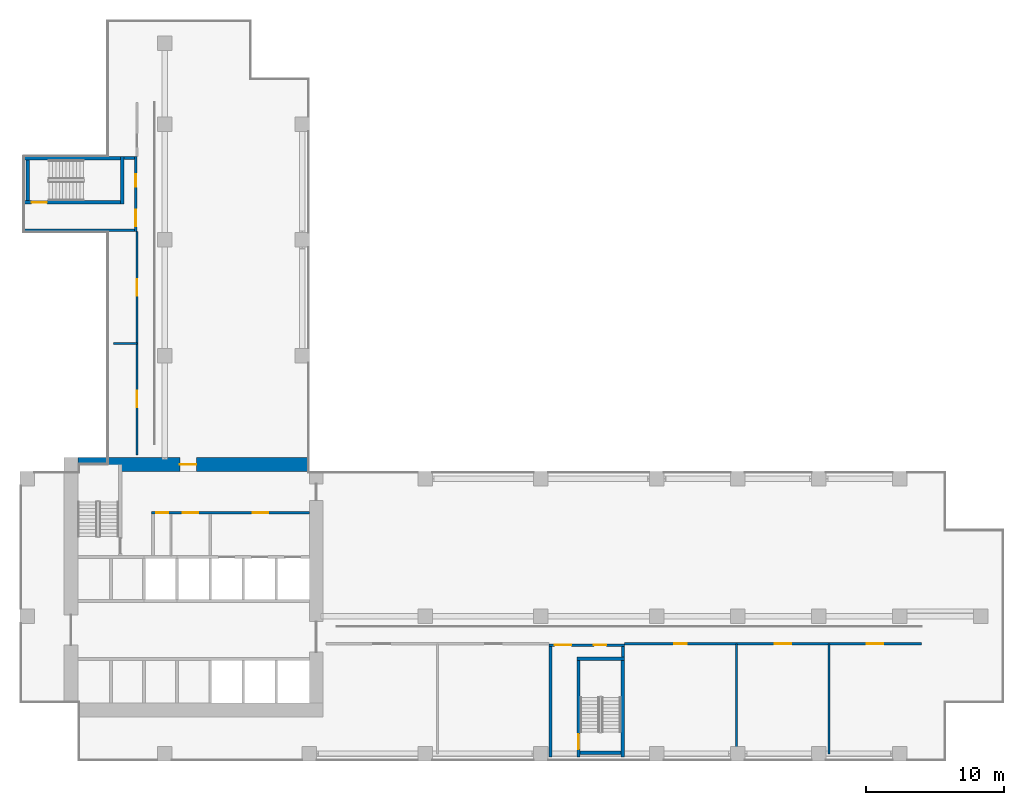
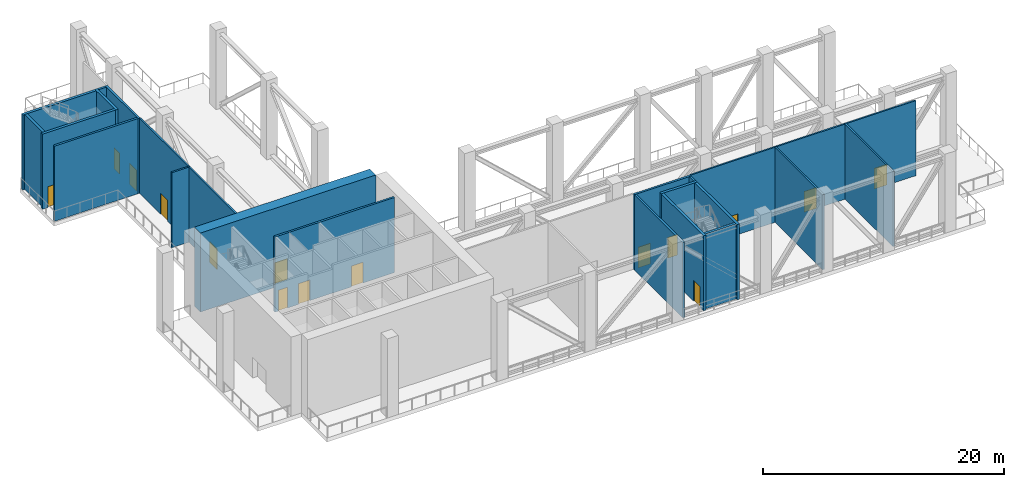
# One storey, part 3 of 10: 21 walls, 15 doors, 15 openings.
"""IFC4 building model written with IfcOpenShell, lengths in metres."""

from ifc_helpers import new_model, si_unit, direction, frame, frame_2d, origin, place, context, subcontext, project, spatial, rectangle, extrude, source, transform, mapped, material, layer, layer_set, type_object, element, fill, save


model = new_model("IFC4")

# Units and contexts
model_context = context("Model", 3, precision=1e-05, world=origin(), true_north=direction((0.0, 1.0)))
body_context = subcontext(model_context, "Body", "Model", "MODEL_VIEW")
ifc_project = project(units=[si_unit("LENGTHUNIT", "METRE"), si_unit("AREAUNIT", "SQUARE_METRE"), si_unit("VOLUMEUNIT", "CUBIC_METRE"), si_unit("PLANEANGLEUNIT", "RADIAN"), si_unit("MASSUNIT", "GRAM", prefix="KILO")], contexts=[model_context])

# Site, building, storey
site_placement = place(None, origin())
site = spatial("IfcSite", under=ifc_project, at=site_placement, CompositionType="ELEMENT")
building_placement = place(site_placement, origin())
building = spatial("IfcBuilding", under=site, at=building_placement, Name="Aurelian Terraces", CompositionType="ELEMENT")
storey_placement = place(building_placement, frame((0.0, 0.0, 162.3)))
storey = spatial("IfcBuildingStorey", under=building, at=storey_placement, Name="L36", CompositionType="ELEMENT", Elevation=162.3)

# Wall, openings, doors
ifc_material_1 = material(Name="Gypsum board on steel studs", Category="steel")
ifc_layer_1 = layer(ifc_material_1, 0.2)
ifc_layer_set_1 = layer_set([ifc_layer_1], Name="Core partition 200")
wall_type_1 = type_object("IfcWallType", Name="Core partition 200", PredefinedType="PARTITIONING", material=ifc_layer_set_1)
wall_1_placement = place(storey_placement, frame((9.55, 18.0, 0.0), z_axis=(0.0, 0.0, 1.0), x_axis=(1.0, 0.0, 0.0)))
wall_1 = element("IfcWall", 1, at=wall_1_placement, inside=storey, type_object=wall_type_1, Name="L36 core wall CP-NORTH", PredefinedType="PARTITIONING", context=body_context, shape_type="SweptSolid", body=[
    extrude(rectangle(XDim=11.45, YDim=0.2, at=frame_2d((5.725, 0.0))), origin(), (0.0, 0.0, 1.0), 7.6),
])
shared_shape_1 = source(origin(), body_context, "Body", "SweptSolid", [
    extrude(rectangle(XDim=0.9, YDim=2.1, at=frame_2d((0.45, 1.05))), frame((0.0, 0.11, 0.0), z_axis=(0.0, -1.0, 0.0), x_axis=(1.0, 0.0, 0.0)), (0.0, 0.0, 1.0), 0.22),
])
opening_1_placement = place(wall_1_placement, frame((0.325, 0.0, 0.0)))
opening_1 = element("IfcOpeningElement", 2, at=opening_1_placement, cuts=wall_1, Name="Opening 63904", PredefinedType="OPENING", context=body_context, shape_type="MappedRepresentation", body=[
    mapped(shared_shape_1, transform((0.0, 0.0, 0.0), scale=1.0)),
])
shared_shape_2 = source(origin(), body_context, "Body", "SweptSolid", [
    extrude(rectangle(XDim=1.1, YDim=2.1, at=frame_2d((0.55, 1.05))), frame((0.0, 0.11, 0.0), z_axis=(0.0, -1.0, 0.0), x_axis=(1.0, 0.0, 0.0)), (0.0, 0.0, 1.0), 0.22),
])
opening_2_placement = place(wall_1_placement, frame((2.275, 0.0, 0.0)))
opening_2 = element("IfcOpeningElement", 3, at=opening_2_placement, cuts=wall_1, Name="Opening 63905", PredefinedType="OPENING", context=body_context, shape_type="MappedRepresentation", body=[
    mapped(shared_shape_2, transform((0.0, 0.0, 0.0), scale=1.0)),
])
opening_3_placement = place(wall_1_placement, frame((7.35, 0.0, 0.0)))
opening_3 = element("IfcOpeningElement", 4, at=opening_3_placement, cuts=wall_1, Name="Opening 63906", PredefinedType="OPENING", context=body_context, shape_type="MappedRepresentation", body=[
    mapped(shared_shape_2, transform((0.0, 0.0, 0.0), scale=1.0)),
])
ifc_material_2 = material(Name="Steel door leaf", Category="steel")
door_type_1 = type_object("IfcDoorType", Name="Core riser door 900x2100 right", OperationType="SINGLE_SWING_RIGHT", PredefinedType="DOOR", material=ifc_material_2)
shared_shape_3 = source(origin(), body_context, "Body", "SweptSolid", [
    extrude(rectangle(XDim=0.9, YDim=2.1, at=frame_2d((0.45, 1.05))), frame((0.0, 0.025, 0.0), z_axis=(0.0, -1.0, 0.0), x_axis=(1.0, 0.0, 0.0)), (0.0, 0.0, 1.0), 0.05),
])
door_1_placement = place(opening_1_placement, origin())
door_1 = element("IfcDoor", 5, at=door_1_placement, inside=storey, type_object=door_type_1, Name="Room door 63904", OperationType="SINGLE_SWING_RIGHT", OverallHeight=2.1, OverallWidth=0.9, PredefinedType="DOOR", context=body_context, shape_type="MappedRepresentation", body=[
    mapped(shared_shape_3, transform((0.0, 0.0, 0.0), scale=1.0)),
])
fill(opening_1, door_1)
door_type_2 = type_object("IfcDoorType", Name="Core service door 1100x2100", OperationType="SINGLE_SWING_LEFT", PredefinedType="DOOR", material=ifc_material_2)
shared_shape_4 = source(origin(), body_context, "Body", "SweptSolid", [
    extrude(rectangle(XDim=1.1, YDim=2.1, at=frame_2d((0.55, 1.05))), frame((0.0, 0.025, 0.0), z_axis=(0.0, -1.0, 0.0), x_axis=(1.0, 0.0, 0.0)), (0.0, 0.0, 1.0), 0.05),
])
door_2_placement = place(opening_2_placement, origin())
door_2 = element("IfcDoor", 6, at=door_2_placement, inside=storey, type_object=door_type_2, Name="Room door 63905", OperationType="SINGLE_SWING_LEFT", OverallHeight=2.1, OverallWidth=1.1, PredefinedType="DOOR", context=body_context, shape_type="MappedRepresentation", body=[
    mapped(shared_shape_4, transform((0.0, 0.0, 0.0), scale=1.0)),
])
fill(opening_2, door_2)
door_type_3 = type_object("IfcDoorType", Name="Core fire door 1100x2100 right", OperationType="SINGLE_SWING_RIGHT", PredefinedType="DOOR", material=ifc_material_2)
door_3_placement = place(opening_3_placement, origin())
door_3 = element("IfcDoor", 7, at=door_3_placement, inside=storey, type_object=door_type_3, Name="Ff lobby door 63906", OperationType="SINGLE_SWING_RIGHT", OverallHeight=2.1, OverallWidth=1.1, PredefinedType="DOOR", context=body_context, shape_type="MappedRepresentation", body=[
    mapped(shared_shape_4, transform((0.0, 0.0, 0.0), scale=1.0)),
])
fill(opening_3, door_3)

# Wall
wall_2_placement = place(storey_placement, frame((38.5, 0.3, 0.0), z_axis=(0.0, 0.0, 1.0), x_axis=(0.0, 1.0, 0.0)))
element("IfcWall", 8, at=wall_2_placement, inside=storey, type_object=wall_type_1, Name="L36 core wall ST-S2-VW", PredefinedType="PARTITIONING", context=body_context, shape_type="SweptSolid", body=[
    extrude(rectangle(XDim=8.0, YDim=0.2, at=frame_2d((4.0, 0.0))), origin(), (0.0, 0.0, 1.0), 7.6),
])

# Wall, openings, doors
wall_3_placement = place(storey_placement, frame((38.4, 8.4, 0.0), z_axis=(0.0, 0.0, 1.0), x_axis=(1.0, 0.0, 0.0)))
wall_3 = element("IfcWall", 9, at=wall_3_placement, inside=storey, type_object=wall_type_1, Name="L36 core wall ST-S2-BN", PredefinedType="PARTITIONING", context=body_context, shape_type="SweptSolid", body=[
    extrude(rectangle(XDim=5.45, YDim=0.2, at=frame_2d((2.725, 0.0))), origin(), (0.0, 0.0, 1.0), 7.6),
])
shared_shape_5 = source(origin(), body_context, "Body", "SweptSolid", [
    extrude(rectangle(XDim=1.2, YDim=2.1, at=frame_2d((0.6, 1.05))), frame((0.0, 0.11, 0.0), z_axis=(0.0, -1.0, 0.0), x_axis=(1.0, 0.0, 0.0)), (0.0, 0.0, 1.0), 0.22),
])
opening_4_placement = place(wall_3_placement, frame((0.4, 0.0, 0.0)))
opening_4 = element("IfcOpeningElement", 10, at=opening_4_placement, cuts=wall_3, Name="Opening 63908", PredefinedType="OPENING", context=body_context, shape_type="MappedRepresentation", body=[
    mapped(shared_shape_5, transform((0.0, 0.0, 0.0), scale=1.0)),
])
opening_5_placement = place(wall_3_placement, frame((3.25, 0.0, 0.0)))
opening_5 = element("IfcOpeningElement", 11, at=opening_5_placement, cuts=wall_3, Name="Opening 63909", PredefinedType="OPENING", context=body_context, shape_type="MappedRepresentation", body=[
    mapped(shared_shape_1, transform((0.0, 0.0, 0.0), scale=1.0)),
])
door_type_4 = type_object("IfcDoorType", Name="Core riser door 900x2100", OperationType="SINGLE_SWING_LEFT", PredefinedType="DOOR", material=ifc_material_2)
door_4_placement = place(opening_5_placement, origin())
door_4 = element("IfcDoor", 12, at=door_4_placement, inside=storey, type_object=door_type_4, Name="Riser door 63909", OperationType="SINGLE_SWING_LEFT", OverallHeight=2.1, OverallWidth=0.9, PredefinedType="DOOR", context=body_context, shape_type="MappedRepresentation", body=[
    mapped(shared_shape_3, transform((0.0, 0.0, 0.0), scale=1.0)),
])
fill(opening_5, door_4)
door_type_5 = type_object("IfcDoorType", Name="Core fire door 1200x2100 right", OperationType="SINGLE_SWING_RIGHT", PredefinedType="DOOR", material=ifc_material_2)
shared_shape_6 = source(origin(), body_context, "Body", "SweptSolid", [
    extrude(rectangle(XDim=1.2, YDim=2.1, at=frame_2d((0.6, 1.05))), frame((0.0, 0.025, 0.0), z_axis=(0.0, -1.0, 0.0), x_axis=(1.0, 0.0, 0.0)), (0.0, 0.0, 1.0), 0.05),
])
door_5_placement = place(opening_4_placement, origin())
door_5 = element("IfcDoor", 13, at=door_5_placement, inside=storey, type_object=door_type_5, Name="Vestibule door 63908", OperationType="SINGLE_SWING_RIGHT", OverallHeight=2.1, OverallWidth=1.2, PredefinedType="DOOR", context=body_context, shape_type="MappedRepresentation", body=[
    mapped(shared_shape_6, transform((0.0, 0.0, 0.0), scale=1.0)),
])
fill(opening_4, door_5)

# Wall
wall_4_placement = place(storey_placement, frame((43.75, 7.55, 0.0), z_axis=(0.0, 0.0, 1.0), x_axis=(0.0, 1.0, 0.0)))
element("IfcWall", 14, at=wall_4_placement, inside=storey, type_object=wall_type_1, Name="L36 core wall ST-S2-RE", PredefinedType="PARTITIONING", context=body_context, shape_type="SweptSolid", body=[
    extrude(rectangle(XDim=0.75, YDim=0.2, at=frame_2d((0.375, 0.0))), origin(), (0.0, 0.0, 1.0), 7.6),
])

# Wall, openings, doors
ifc_layer_2 = layer(ifc_material_1, 0.15)
ifc_layer_set_2 = layer_set([ifc_layer_2], Name="Special partition 150")
wall_type_2 = type_object("IfcWallType", Name="Special partition 150", PredefinedType="PARTITIONING", material=ifc_layer_set_2)
wall_5_placement = place(storey_placement, frame((43.85, 8.5, 0.0), z_axis=(0.0, 0.0, 1.0), x_axis=(1.0, 0.0, 0.0)))
wall_5 = element("IfcWall", 15, at=wall_5_placement, inside=storey, type_object=wall_type_2, Name="L36 partition W02", PredefinedType="PARTITIONING", context=body_context, shape_type="SweptSolid", body=[
    extrude(rectangle(XDim=21.55, YDim=0.15, at=frame_2d((10.775, 0.0))), origin(), (0.0, 0.0, 1.0), 7.6),
])
shared_shape_7 = source(origin(), body_context, "Body", "SweptSolid", [
    extrude(rectangle(XDim=0.9, YDim=2.1, at=frame_2d((0.45, 1.05))), frame((0.0, 0.085, 0.0), z_axis=(0.0, -1.0, 0.0), x_axis=(1.0, 0.0, 0.0)), (0.0, 0.0, 1.0), 0.17),
])
opening_6_placement = place(wall_5_placement, frame((3.625, 0.0, 0.0)))
opening_6 = element("IfcOpeningElement", 16, at=opening_6_placement, cuts=wall_5, Name="Opening 73903", PredefinedType="OPENING", context=body_context, shape_type="MappedRepresentation", body=[
    mapped(shared_shape_7, transform((0.0, 0.0, 0.0), scale=1.0)),
])
shared_shape_8 = source(origin(), body_context, "Body", "SweptSolid", [
    extrude(rectangle(XDim=1.2, YDim=2.1, at=frame_2d((0.6, 1.05))), frame((0.0, 0.085, 0.0), z_axis=(0.0, -1.0, 0.0), x_axis=(1.0, 0.0, 0.0)), (0.0, 0.0, 1.0), 0.17),
])
opening_7_placement = place(wall_5_placement, frame((10.9, 0.0, 0.0)))
opening_7 = element("IfcOpeningElement", 17, at=opening_7_placement, cuts=wall_5, Name="Opening 73904", PredefinedType="OPENING", context=body_context, shape_type="MappedRepresentation", body=[
    mapped(shared_shape_8, transform((0.0, 0.0, 0.0), scale=1.0)),
])
opening_8_placement = place(wall_5_placement, frame((17.6, 0.0, 0.0)))
opening_8 = element("IfcOpeningElement", 18, at=opening_8_placement, cuts=wall_5, Name="Opening 73905", PredefinedType="OPENING", context=body_context, shape_type="MappedRepresentation", body=[
    mapped(shared_shape_8, transform((0.0, 0.0, 0.0), scale=1.0)),
])
ifc_material_3 = material(Name="Timber door leaf", Category="wood")
door_type_6 = type_object("IfcDoorType", Name="Special door 900x2100", OperationType="SINGLE_SWING_LEFT", PredefinedType="DOOR", material=ifc_material_3)
door_6_placement = place(opening_6_placement, origin())
door_6 = element("IfcDoor", 19, at=door_6_placement, inside=storey, type_object=door_type_6, Name="Door 73903", OperationType="SINGLE_SWING_LEFT", OverallHeight=2.1, OverallWidth=0.9, PredefinedType="DOOR", context=body_context, shape_type="MappedRepresentation", body=[
    mapped(shared_shape_3, transform((0.0, 0.0, 0.0), scale=1.0)),
])
fill(opening_6, door_6)
door_type_7 = type_object("IfcDoorType", Name="Special door 1200x2100 right", OperationType="SINGLE_SWING_RIGHT", PredefinedType="DOOR", material=ifc_material_2)
door_7_placement = place(opening_7_placement, origin())
door_7 = element("IfcDoor", 20, at=door_7_placement, inside=storey, type_object=door_type_7, Name="Door 73904", OperationType="SINGLE_SWING_RIGHT", OverallHeight=2.1, OverallWidth=1.2, PredefinedType="DOOR", context=body_context, shape_type="MappedRepresentation", body=[
    mapped(shared_shape_6, transform((0.0, 0.0, 0.0), scale=1.0)),
])
fill(opening_7, door_7)
door_type_8 = type_object("IfcDoorType", Name="Special door 1200x2100", OperationType="SINGLE_SWING_LEFT", PredefinedType="DOOR", material=ifc_material_2)
door_8_placement = place(opening_8_placement, origin())
door_8 = element("IfcDoor", 21, at=door_8_placement, inside=storey, type_object=door_type_8, Name="Door 73905", OperationType="SINGLE_SWING_LEFT", OverallHeight=2.1, OverallWidth=1.2, PredefinedType="DOOR", context=body_context, shape_type="MappedRepresentation", body=[
    mapped(shared_shape_6, transform((0.0, 0.0, 0.0), scale=1.0)),
])
fill(opening_8, door_8)

# Wall
wall_6_placement = place(storey_placement, frame((6.8, 30.3, 0.0), z_axis=(0.0, 0.0, 1.0), x_axis=(1.0, 0.0, 0.0)))
element("IfcWall", 22, at=wall_6_placement, inside=storey, type_object=wall_type_2, Name="L36 partition W03", PredefinedType="PARTITIONING", context=body_context, shape_type="SweptSolid", body=[
    extrude(rectangle(XDim=1.7, YDim=0.15, at=frame_2d((0.85, 0.0))), origin(), (0.0, 0.0, 1.0), 7.6),
])

# Wall, opening, door
ifc_material_4 = material(Name="Concrete fc' 40 MPa", Category="concrete")
ifc_layer_3 = layer(ifc_material_4, 0.25)
ifc_layer_set_3 = layer_set([ifc_layer_3], Name="Stair enclosure wall 250")
wall_type_3 = type_object("IfcWallType", Name="Stair enclosure wall 250", PredefinedType="SOLIDWALL", material=ifc_layer_set_3)
wall_7_placement = place(storey_placement, frame((40.525, 0.3, 0.0), z_axis=(0.0, 0.0, 1.0), x_axis=(0.0, 1.0, 0.0)))
wall_7 = element("IfcWall", 23, at=wall_7_placement, inside=storey, type_object=wall_type_3, Name="L36 core wall ST-S2-W", PredefinedType="SOLIDWALL", context=body_context, shape_type="SweptSolid", body=[
    extrude(rectangle(XDim=7.0, YDim=0.25, at=frame_2d((3.5, 0.0))), origin(), (0.0, 0.0, 1.0), 7.6),
])
shared_shape_9 = source(origin(), body_context, "Body", "SweptSolid", [
    extrude(rectangle(XDim=1.1, YDim=2.1, at=frame_2d((0.55, 1.05))), frame((0.0, 0.135, 0.0), z_axis=(0.0, -1.0, 0.0), x_axis=(1.0, 0.0, 0.0)), (0.0, 0.0, 1.0), 0.27),
])
opening_9_placement = place(wall_7_placement, frame((0.55, 0.0, 0.0)))
opening_9 = element("IfcOpeningElement", 24, at=opening_9_placement, cuts=wall_7, Name="Opening 63907", PredefinedType="OPENING", context=body_context, shape_type="MappedRepresentation", body=[
    mapped(shared_shape_9, transform((0.0, 0.0, 0.0), scale=1.0)),
])
door_type_9 = type_object("IfcDoorType", Name="Core fire door 1100x2100", OperationType="SINGLE_SWING_LEFT", PredefinedType="DOOR", material=ifc_material_2)
door_9_placement = place(opening_9_placement, origin())
door_9 = element("IfcDoor", 25, at=door_9_placement, inside=storey, type_object=door_type_9, Name="Stair door 63907", OperationType="SINGLE_SWING_LEFT", OverallHeight=2.1, OverallWidth=1.1, PredefinedType="DOOR", context=body_context, shape_type="MappedRepresentation", body=[
    mapped(shared_shape_4, transform((0.0, 0.0, 0.0), scale=1.0)),
])
fill(opening_9, door_9)

# Walls
wall_8_placement = place(storey_placement, frame((40.4, 7.425, 0.0), z_axis=(0.0, 0.0, 1.0), x_axis=(1.0, 0.0, 0.0)))
element("IfcWall", 26, at=wall_8_placement, inside=storey, type_object=wall_type_3, Name="L36 core wall ST-S2-N", PredefinedType="SOLIDWALL", context=body_context, shape_type="SweptSolid", body=[
    extrude(rectangle(XDim=3.45, YDim=0.25, at=frame_2d((1.725, 0.0))), origin(), (0.0, 0.0, 1.0), 7.6),
])
wall_9_placement = place(storey_placement, frame((40.65, 0.575, 0.0), z_axis=(0.0, 0.0, 1.0), x_axis=(1.0, 0.0, 0.0)))
element("IfcWall", 27, at=wall_9_placement, inside=storey, type_object=wall_type_3, Name="L36 core wall ST-S2-SS", PredefinedType="SOLIDWALL", context=body_context, shape_type="SweptSolid", body=[
    extrude(rectangle(XDim=2.95, YDim=0.25, at=frame_2d((1.475, 0.0))), origin(), (0.0, 0.0, 1.0), 7.6),
])

# Wall, opening, door
ifc_material_5 = material(Name="Concrete fc' 83 MPa", Category="concrete")
ifc_layer_4 = layer(ifc_material_5, 1.0)
ifc_layer_set_4 = layer_set([ifc_layer_4], Name="CORE WALL 1000 FC83")
wall_type_4 = type_object("IfcWallType", Name="CORE WALL 1000 FC83", PredefinedType="SHEAR", material=ifc_layer_set_4)
shared_shape_10 = source(origin(), body_context, "Body", "SweptSolid", [
    extrude(rectangle(XDim=16.8, YDim=1.0, at=frame_2d((8.4, 0.0))), origin(), (0.0, 0.0, 1.0), 8.0),
])
wall_10_placement = place(storey_placement, frame((4.2, 21.5, 0.0), z_axis=(0.0, 0.0, 1.0), x_axis=(1.0, 0.0, 0.0)))
wall_10 = element("IfcWall", 28, at=wall_10_placement, inside=storey, type_object=wall_type_4, Name="Core wall N L36", PredefinedType="SHEAR", context=body_context, shape_type="MappedRepresentation", body=[
    mapped(shared_shape_10, transform((0.0, 0.0, 0.0), scale=1.0)),
])
shared_shape_11 = source(origin(), body_context, "Body", "SweptSolid", [
    extrude(rectangle(XDim=1.2, YDim=2.1, at=frame_2d((0.6, 1.05))), frame((0.0, 0.51, 0.0), z_axis=(0.0, -1.0, 0.0), x_axis=(1.0, 0.0, 0.0)), (0.0, 0.0, 1.0), 1.02),
])
opening_10_placement = place(wall_10_placement, frame((7.4, 0.0, 0.0)))
opening_10 = element("IfcOpeningElement", 29, at=opening_10_placement, cuts=wall_10, Name="Opening 63915", PredefinedType="OPENING", context=body_context, shape_type="MappedRepresentation", body=[
    mapped(shared_shape_11, transform((0.0, 0.0, 0.0), scale=1.0)),
])
door_10_placement = place(opening_10_placement, origin())
door_10 = element("IfcDoor", 30, at=door_10_placement, inside=storey, type_object=door_type_5, Name="Core door 63915", OperationType="SINGLE_SWING_RIGHT", OverallHeight=2.1, OverallWidth=1.2, PredefinedType="DOOR", context=body_context, shape_type="MappedRepresentation", body=[
    mapped(shared_shape_6, transform((0.0, 0.0, 0.0), scale=1.0)),
])
fill(opening_10, door_10)

# Wall
shared_shape_12 = source(origin(), body_context, "Body", "SweptSolid", [
    extrude(rectangle(XDim=7.0, YDim=0.25, at=frame_2d((3.5, 0.0))), origin(), (0.0, 0.0, 1.0), 7.6),
])
wall_11_placement = place(storey_placement, frame((43.725, 0.3, 0.0), z_axis=(0.0, 0.0, 1.0), x_axis=(0.0, 1.0, 0.0)))
element("IfcWall", 31, at=wall_11_placement, inside=storey, type_object=wall_type_3, Name="L36 core wall ST-S2-E", PredefinedType="SOLIDWALL", context=body_context, shape_type="MappedRepresentation", body=[
    mapped(shared_shape_12, transform((0.0, 0.0, 0.0), scale=1.0)),
])

# Wall, opening, door
wall_12_placement = place(storey_placement, frame((0.3, 40.525, 0.0), z_axis=(0.0, 0.0, 1.0), x_axis=(1.0, 0.0, 0.0)))
wall_12 = element("IfcWall", 32, at=wall_12_placement, inside=storey, type_object=wall_type_3, Name="L36 core wall ST-S3-W", PredefinedType="SOLIDWALL", context=body_context, shape_type="MappedRepresentation", body=[
    mapped(shared_shape_12, transform((0.0, 0.0, 0.0), scale=1.0)),
])
opening_11_placement = place(wall_12_placement, frame((0.55, 0.0, 0.0)))
opening_11 = element("IfcOpeningElement", 33, at=opening_11_placement, cuts=wall_12, Name="Opening 63910", PredefinedType="OPENING", context=body_context, shape_type="MappedRepresentation", body=[
    mapped(shared_shape_9, transform((0.0, 0.0, 0.0), scale=1.0)),
])
door_11_placement = place(opening_11_placement, origin())
door_11 = element("IfcDoor", 34, at=door_11_placement, inside=storey, type_object=door_type_3, Name="Stair door 63910", OperationType="SINGLE_SWING_RIGHT", OverallHeight=2.1, OverallWidth=1.1, PredefinedType="DOOR", context=body_context, shape_type="MappedRepresentation", body=[
    mapped(shared_shape_4, transform((0.0, 0.0, 0.0), scale=1.0)),
])
fill(opening_11, door_11)

# Walls
wall_13_placement = place(storey_placement, frame((0.3, 43.725, 0.0), z_axis=(0.0, 0.0, 1.0), x_axis=(1.0, 0.0, 0.0)))
element("IfcWall", 35, at=wall_13_placement, inside=storey, type_object=wall_type_3, Name="L36 core wall ST-S3-E", PredefinedType="SOLIDWALL", context=body_context, shape_type="MappedRepresentation", body=[
    mapped(shared_shape_12, transform((0.0, 0.0, 0.0), scale=1.0)),
])
shared_shape_13 = source(origin(), body_context, "Body", "SweptSolid", [
    extrude(rectangle(XDim=3.45, YDim=0.25, at=frame_2d((1.725, 0.0))), origin(), (0.0, 0.0, 1.0), 7.6),
])
wall_14_placement = place(storey_placement, frame((7.425, 40.4, 0.0), z_axis=(0.0, 0.0, 1.0), x_axis=(0.0, 1.0, 0.0)))
element("IfcWall", 36, at=wall_14_placement, inside=storey, type_object=wall_type_3, Name="L36 core wall ST-S3-N", PredefinedType="SOLIDWALL", context=body_context, shape_type="MappedRepresentation", body=[
    mapped(shared_shape_13, transform((0.0, 0.0, 0.0), scale=1.0)),
])
shared_shape_14 = source(origin(), body_context, "Body", "SweptSolid", [
    extrude(rectangle(XDim=2.95, YDim=0.25, at=frame_2d((1.475, 0.0))), origin(), (0.0, 0.0, 1.0), 7.6),
])
wall_15_placement = place(storey_placement, frame((0.575, 40.65, 0.0), z_axis=(0.0, 0.0, 1.0), x_axis=(0.0, 1.0, 0.0)))
element("IfcWall", 37, at=wall_15_placement, inside=storey, type_object=wall_type_3, Name="L36 core wall ST-S3-SS", PredefinedType="SOLIDWALL", context=body_context, shape_type="MappedRepresentation", body=[
    mapped(shared_shape_14, transform((0.0, 0.0, 0.0), scale=1.0)),
])
shared_shape_15 = source(origin(), body_context, "Body", "SweptSolid", [
    extrude(rectangle(XDim=8.0, YDim=0.2, at=frame_2d((4.0, 0.0))), origin(), (0.0, 0.0, 1.0), 7.6),
])
wall_16_placement = place(storey_placement, frame((0.3, 38.5, 0.0), z_axis=(0.0, 0.0, 1.0), x_axis=(1.0, 0.0, 0.0)))
element("IfcWall", 38, at=wall_16_placement, inside=storey, type_object=wall_type_1, Name="L36 core wall ST-S3-VW", PredefinedType="PARTITIONING", context=body_context, shape_type="MappedRepresentation", body=[
    mapped(shared_shape_15, transform((0.0, 0.0, 0.0), scale=1.0)),
])

# Wall, openings, doors
shared_shape_16 = source(origin(), body_context, "Body", "SweptSolid", [
    extrude(rectangle(XDim=5.45, YDim=0.2, at=frame_2d((2.725, 0.0))), origin(), (0.0, 0.0, 1.0), 7.6),
])
wall_17_placement = place(storey_placement, frame((8.4, 38.4, 0.0), z_axis=(0.0, 0.0, 1.0), x_axis=(0.0, 1.0, 0.0)))
wall_17 = element("IfcWall", 39, at=wall_17_placement, inside=storey, type_object=wall_type_1, Name="L36 core wall ST-S3-BN", PredefinedType="PARTITIONING", context=body_context, shape_type="MappedRepresentation", body=[
    mapped(shared_shape_16, transform((0.0, 0.0, 0.0), scale=1.0)),
])
opening_12_placement = place(wall_17_placement, frame((0.4, 0.0, 0.0)))
opening_12 = element("IfcOpeningElement", 40, at=opening_12_placement, cuts=wall_17, Name="Opening 63911", PredefinedType="OPENING", context=body_context, shape_type="MappedRepresentation", body=[
    mapped(shared_shape_5, transform((0.0, 0.0, 0.0), scale=1.0)),
])
opening_13_placement = place(wall_17_placement, frame((3.25, 0.0, 0.0)))
opening_13 = element("IfcOpeningElement", 41, at=opening_13_placement, cuts=wall_17, Name="Opening 63912", PredefinedType="OPENING", context=body_context, shape_type="MappedRepresentation", body=[
    mapped(shared_shape_1, transform((0.0, 0.0, 0.0), scale=1.0)),
])
door_12_placement = place(opening_13_placement, origin())
door_12 = element("IfcDoor", 42, at=door_12_placement, inside=storey, type_object=door_type_1, Name="Riser door 63912", OperationType="SINGLE_SWING_RIGHT", OverallHeight=2.1, OverallWidth=0.9, PredefinedType="DOOR", context=body_context, shape_type="MappedRepresentation", body=[
    mapped(shared_shape_3, transform((0.0, 0.0, 0.0), scale=1.0)),
])
fill(opening_13, door_12)
door_type_10 = type_object("IfcDoorType", Name="Core fire door 1200x2100", OperationType="SINGLE_SWING_LEFT", PredefinedType="DOOR", material=ifc_material_2)
door_13_placement = place(opening_12_placement, origin())
door_13 = element("IfcDoor", 43, at=door_13_placement, inside=storey, type_object=door_type_10, Name="Vestibule door 63911", OperationType="SINGLE_SWING_LEFT", OverallHeight=2.1, OverallWidth=1.2, PredefinedType="DOOR", context=body_context, shape_type="MappedRepresentation", body=[
    mapped(shared_shape_6, transform((0.0, 0.0, 0.0), scale=1.0)),
])
fill(opening_12, door_13)

# Wall
shared_shape_17 = source(origin(), body_context, "Body", "SweptSolid", [
    extrude(rectangle(XDim=0.75, YDim=0.2, at=frame_2d((0.375, 0.0))), origin(), (0.0, 0.0, 1.0), 7.6),
])
wall_18_placement = place(storey_placement, frame((7.55, 43.75, 0.0), z_axis=(0.0, 0.0, 1.0), x_axis=(1.0, 0.0, 0.0)))
element("IfcWall", 44, at=wall_18_placement, inside=storey, type_object=wall_type_1, Name="L36 core wall ST-S3-RE", PredefinedType="PARTITIONING", context=body_context, shape_type="MappedRepresentation", body=[
    mapped(shared_shape_17, transform((0.0, 0.0, 0.0), scale=1.0)),
])

# Wall, openings, doors
shared_shape_18 = source(origin(), body_context, "Body", "SweptSolid", [
    extrude(rectangle(XDim=16.2, YDim=0.15, at=frame_2d((8.1, 0.0))), origin(), (0.0, 0.0, 1.0), 7.6),
])
wall_19_placement = place(storey_placement, frame((8.5, 22.2, 0.0), z_axis=(0.0, 0.0, 1.0), x_axis=(0.0, 1.0, 0.0)))
wall_19 = element("IfcWall", 45, at=wall_19_placement, inside=storey, type_object=wall_type_2, Name="L36 partition W04", PredefinedType="PARTITIONING", context=body_context, shape_type="MappedRepresentation", body=[
    mapped(shared_shape_18, transform((0.0, 0.0, 0.0), scale=1.0)),
])
opening_14_placement = place(wall_19_placement, frame((3.45, 0.0, 0.0)))
opening_14 = element("IfcOpeningElement", 46, at=opening_14_placement, cuts=wall_19, Name="Opening 73906", PredefinedType="OPENING", context=body_context, shape_type="MappedRepresentation", body=[
    mapped(shared_shape_8, transform((0.0, 0.0, 0.0), scale=1.0)),
])
opening_15_placement = place(wall_19_placement, frame((11.55, 0.0, 0.0)))
opening_15 = element("IfcOpeningElement", 47, at=opening_15_placement, cuts=wall_19, Name="Opening 73907", PredefinedType="OPENING", context=body_context, shape_type="MappedRepresentation", body=[
    mapped(shared_shape_8, transform((0.0, 0.0, 0.0), scale=1.0)),
])
door_14_placement = place(opening_14_placement, origin())
door_14 = element("IfcDoor", 48, at=door_14_placement, inside=storey, type_object=door_type_7, Name="Door 73906", OperationType="SINGLE_SWING_RIGHT", OverallHeight=2.1, OverallWidth=1.2, PredefinedType="DOOR", context=body_context, shape_type="MappedRepresentation", body=[
    mapped(shared_shape_6, transform((0.0, 0.0, 0.0), scale=1.0)),
])
fill(opening_14, door_14)
door_15_placement = place(opening_15_placement, origin())
door_15 = element("IfcDoor", 49, at=door_15_placement, inside=storey, type_object=door_type_8, Name="Door 73907", OperationType="SINGLE_SWING_LEFT", OverallHeight=2.1, OverallWidth=1.2, PredefinedType="DOOR", context=body_context, shape_type="MappedRepresentation", body=[
    mapped(shared_shape_6, transform((0.0, 0.0, 0.0), scale=1.0)),
])
fill(opening_15, door_15)

# Walls
shared_shape_19 = source(origin(), body_context, "Body", "SweptSolid", [
    extrude(rectangle(XDim=8.0, YDim=0.15, at=frame_2d((4.0, 0.0))), origin(), (0.0, 0.0, 1.0), 7.6),
])
for number, where, z_axis, x_axis, name in (
    (50, (52.0, 0.5, 0.0), (0.0, 0.0, 1.0), (0.0, 1.0, 0.0), "L36 partition W07"),
    (51, (58.7, 0.5, 0.0), (0.0, 0.0, 1.0), (0.0, 1.0, 0.0), "L36 partition W08"),
):
    element("IfcWall", number, at=place(storey_placement, frame(where, z_axis=z_axis, x_axis=x_axis)), inside=storey, type_object=wall_type_2, Name=name, PredefinedType="PARTITIONING", context=body_context, shape_type="MappedRepresentation", body=[
        mapped(shared_shape_19, transform((0.0, 0.0, 0.0), scale=1.0)),
    ])

save(model, "model.ifc")
